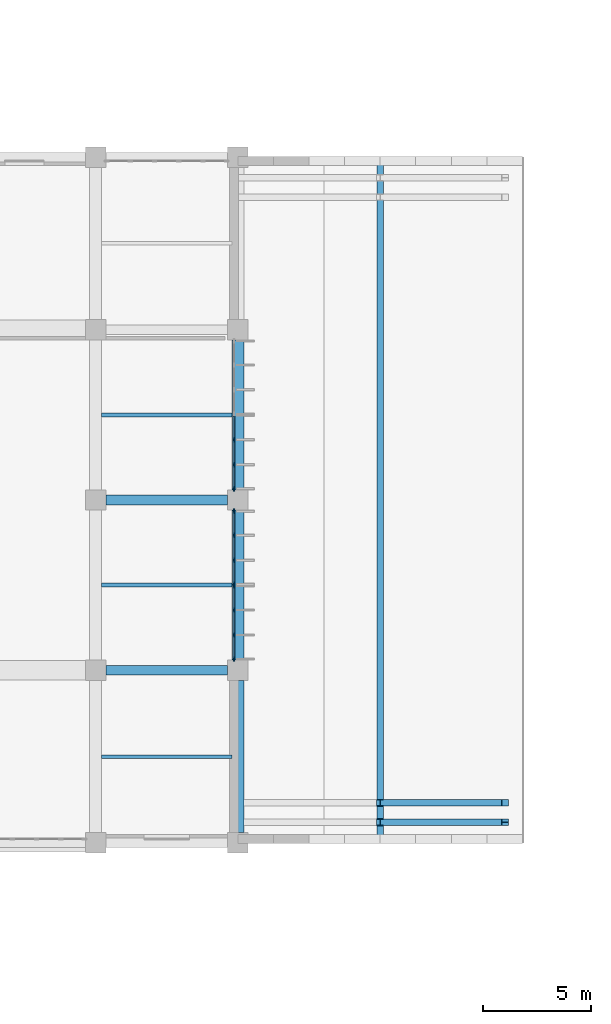
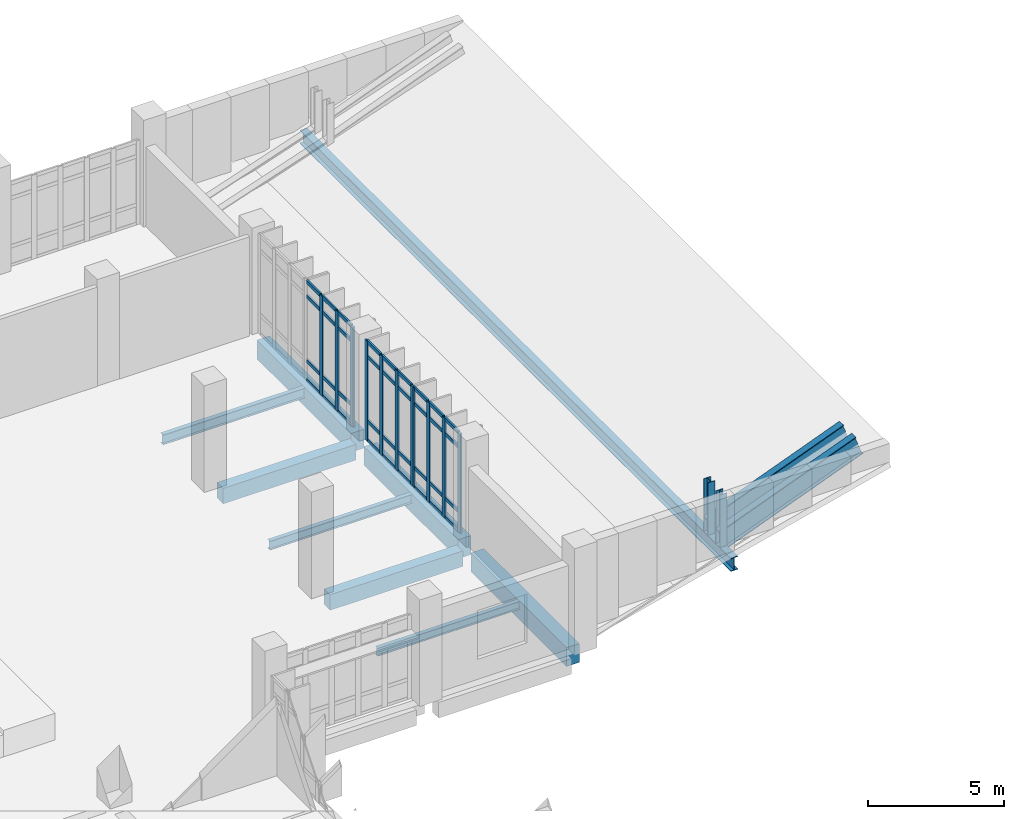
# One storey, part 44 of 90: 51 members, 9 beams, 3 elements without a shape of their own.
"""IFC4 building model written with IfcOpenShell, lengths in metres."""

from ifc_helpers import new_model, si_unit, direction, frame, origin, origin_2d, place, context, subcontext, project, spatial, rectangle, i_section, extrude, material, layer, layer_set, material_profile, profile_set, type_object, element, aggregate, save


model = new_model("IFC4")

# Units and contexts
model_context = context("Model", 3, precision=1e-05, world=origin(), true_north=direction((0.0, 1.0)))
body_context = subcontext(model_context, "Body", "Model", "MODEL_VIEW")
ifc_project = project(units=[si_unit("LENGTHUNIT", "METRE"), si_unit("AREAUNIT", "SQUARE_METRE"), si_unit("VOLUMEUNIT", "CUBIC_METRE"), si_unit("PLANEANGLEUNIT", "RADIAN"), si_unit("MASSUNIT", "GRAM", prefix="KILO")], contexts=[model_context])

# Site, building, storey
site_placement = place(None, origin())
site = spatial("IfcSite", under=ifc_project, at=site_placement, CompositionType="ELEMENT")
building_placement = place(site_placement, origin())
building = spatial("IfcBuilding", under=site, at=building_placement, Name="Kelarvand Opera House", CompositionType="ELEMENT")
storey_placement = place(building_placement, frame((0.0, 0.0, 5.39990234375)))
storey = spatial("IfcBuildingStorey", under=building, at=storey_placement, Name="L01", CompositionType="ELEMENT", Elevation=5.39990234375)

# Curtain wall, members
ifc_material_1 = material(Name="Thermally broken aluminium and low-E glazing", Category="aluminium")
ifc_layer = layer(ifc_material_1, 0.219970703125, Name="Thermally broken aluminium and low-E glazing", Category="aluminium")
ifc_layer_set = layer_set([ifc_layer], Name="Thermally broken aluminium and low-E glazing")
curtain_wall_type = type_object("IfcCurtainWallType", Name="Unitised Low-E Curtain Wall 3461x4500 Mod 1150 CWF-04", PredefinedType="USERDEFINED", material=ifc_layer_set)
curtain_wall_1_placement = place(storey_placement, origin())
curtain_wall_1 = element("IfcCurtainWall", 1, at=curtain_wall_1_placement, inside=storey, type_object=curtain_wall_type, Name="V1 L01 Curtain Wall CWF-04 (9)", ObjectType="UNITISED CURTAIN WALL", PredefinedType="USERDEFINED")
ifc_material_2 = material(Name="Thermally broken anodised aluminium", Category="aluminium")
ifc_material_profile_1 = material_profile(ifc_material_2, rectangle(XDim=0.074951171875, YDim=0.219970703125, at=origin_2d()), Name="ALU MULLION 75x220", Category="aluminium")
ifc_profile_set_1 = profile_set([ifc_material_profile_1], Name="Thermally broken anodised aluminium")
member_type_1 = type_object("IfcMemberType", Name="Curtain Wall Mullion 75x220 Heavy Plaza", PredefinedType="MULLION", material=ifc_profile_set_1)
member_1_placement = place(storey_placement, frame((141.6201171875, 65.294921875, 0.0), z_axis=(0.0, 0.0, 1.0), x_axis=(1.0, 0.0, 0.0)))
member_1 = element("IfcMember", 2, at=member_1_placement, type_object=member_type_1, Name="CWF-04 mullion 2", PredefinedType="MULLION", context=body_context, shape_type="SweptSolid", body=[
    extrude(rectangle(XDim=0.074951171875, YDim=0.219970703125, at=origin_2d()), origin(), (0.0, 0.0, 1.0), 4.5),
])
member_2_placement = place(storey_placement, frame((141.6201171875, 64.139892578125, 0.0), z_axis=(0.0, 0.0, 1.0), x_axis=(1.0, 0.0, 0.0)))
member_2 = element("IfcMember", 3, at=member_2_placement, type_object=member_type_1, Name="CWF-04 mullion 3", PredefinedType="MULLION", context=body_context, shape_type="SweptSolid", body=[
    extrude(rectangle(XDim=0.074951171875, YDim=0.219970703125, at=origin_2d()), origin(), (0.0, 0.0, 1.0), 4.5),
])
member_3_placement = place(storey_placement, frame((141.6201171875, 63.0224609375, 0.0), z_axis=(0.0, 0.0, 1.0), x_axis=(1.0, 0.0, 0.0)))
member_3 = element("IfcMember", 4, at=member_3_placement, type_object=member_type_1, Name="CWF-04 mullion 4", PredefinedType="MULLION", context=body_context, shape_type="SweptSolid", body=[
    extrude(rectangle(XDim=0.074951171875, YDim=0.219970703125, at=origin_2d()), origin(), (0.0, 0.0, 1.0), 4.5),
])

curtain_wall_2_placement = place(storey_placement, origin())
curtain_wall_2 = element("IfcCurtainWall", 5, at=curtain_wall_2_placement, inside=storey, type_object=curtain_wall_type, Name="V1 L01 Curtain Wall CWF-04 (10)", ObjectType="UNITISED CURTAIN WALL", PredefinedType="USERDEFINED")
member_4_placement = place(storey_placement, frame((141.6201171875, 61.9775390625, 0.0), z_axis=(0.0, 0.0, 1.0), x_axis=(1.0, 0.0, 0.0)))
member_4 = element("IfcMember", 6, at=member_4_placement, type_object=member_type_1, Name="CWF-04 mullion 1", PredefinedType="MULLION", context=body_context, shape_type="SweptSolid", body=[
    extrude(rectangle(XDim=0.074951171875, YDim=0.219970703125, at=origin_2d()), origin(), (0.0, 0.0, 1.0), 4.5),
])
member_5_placement = place(storey_placement, frame((141.6201171875, 60.861328125, 0.0), z_axis=(0.0, 0.0, 1.0), x_axis=(1.0, 0.0, 0.0)))
member_5 = element("IfcMember", 7, at=member_5_placement, type_object=member_type_1, Name="CWF-04 mullion 2", PredefinedType="MULLION", context=body_context, shape_type="SweptSolid", body=[
    extrude(rectangle(XDim=0.074951171875, YDim=0.219970703125, at=origin_2d()), origin(), (0.0, 0.0, 1.0), 4.5),
])
member_6_placement = place(storey_placement, frame((141.6201171875, 59.707763671875, 0.0), z_axis=(0.0, 0.0, 1.0), x_axis=(1.0, 0.0, 0.0)))
member_6 = element("IfcMember", 8, at=member_6_placement, type_object=member_type_1, Name="CWF-04 mullion 3", PredefinedType="MULLION", context=body_context, shape_type="SweptSolid", body=[
    extrude(rectangle(XDim=0.074951171875, YDim=0.219970703125, at=origin_2d()), origin(), (0.0, 0.0, 1.0), 4.5),
])
member_7_placement = place(storey_placement, frame((141.6201171875, 58.591552734375, 0.0), z_axis=(0.0, 0.0, 1.0), x_axis=(1.0, 0.0, 0.0)))
member_7 = element("IfcMember", 9, at=member_7_placement, type_object=member_type_1, Name="CWF-04 mullion 4", PredefinedType="MULLION", context=body_context, shape_type="SweptSolid", body=[
    extrude(rectangle(XDim=0.074951171875, YDim=0.219970703125, at=origin_2d()), origin(), (0.0, 0.0, 1.0), 4.5),
])

curtain_wall_3_placement = place(storey_placement, origin())
curtain_wall_3 = element("IfcCurtainWall", 10, at=curtain_wall_3_placement, inside=storey, type_object=curtain_wall_type, Name="V1 L01 Curtain Wall CWF-04 (11)", ObjectType="UNITISED CURTAIN WALL", PredefinedType="USERDEFINED")
member_8_placement = place(storey_placement, frame((141.6201171875, 58.512451171875, 0.0), z_axis=(0.0, 0.0, 1.0), x_axis=(1.0, 0.0, 0.0)))
member_8 = element("IfcMember", 11, at=member_8_placement, type_object=member_type_1, Name="CWF-04 mullion 1", PredefinedType="MULLION", context=body_context, shape_type="SweptSolid", body=[
    extrude(rectangle(XDim=0.074951171875, YDim=0.219970703125, at=origin_2d()), origin(), (0.0, 0.0, 1.0), 4.5),
])
member_9_placement = place(storey_placement, frame((141.6201171875, 57.39501953125, 0.0), z_axis=(0.0, 0.0, 1.0), x_axis=(1.0, 0.0, 0.0)))
member_9 = element("IfcMember", 12, at=member_9_placement, type_object=member_type_1, Name="CWF-04 mullion 2", PredefinedType="MULLION", context=body_context, shape_type="SweptSolid", body=[
    extrude(rectangle(XDim=0.074951171875, YDim=0.219970703125, at=origin_2d()), origin(), (0.0, 0.0, 1.0), 4.5),
])
member_10_placement = place(storey_placement, frame((141.6201171875, 56.239990234375, 0.0), z_axis=(0.0, 0.0, 1.0), x_axis=(1.0, 0.0, 0.0)))
member_10 = element("IfcMember", 13, at=member_10_placement, type_object=member_type_1, Name="CWF-04 mullion 3", PredefinedType="MULLION", context=body_context, shape_type="SweptSolid", body=[
    extrude(rectangle(XDim=0.074951171875, YDim=0.219970703125, at=origin_2d()), origin(), (0.0, 0.0, 1.0), 4.5),
])
member_11_placement = place(storey_placement, frame((141.6201171875, 55.12255859375, 0.0), z_axis=(0.0, 0.0, 1.0), x_axis=(1.0, 0.0, 0.0)))
member_11 = element("IfcMember", 14, at=member_11_placement, type_object=member_type_1, Name="CWF-04 mullion 4", PredefinedType="MULLION", context=body_context, shape_type="SweptSolid", body=[
    extrude(rectangle(XDim=0.074951171875, YDim=0.219970703125, at=origin_2d()), origin(), (0.0, 0.0, 1.0), 4.5),
])

# Member
ifc_material_profile_2 = material_profile(ifc_material_2, rectangle(XDim=0.074951171875, YDim=0.159912109375, at=origin_2d()), Name="ALU TRANSOM 75x160", Category="aluminium")
ifc_profile_set_2 = profile_set([ifc_material_profile_2], Name="Thermally broken anodised aluminium")
member_type_2 = type_object("IfcMemberType", Name="Curtain Wall Transom 75x160 Heavy Plaza", PredefinedType="USERDEFINED", material=ifc_profile_set_2)
member_12_placement = place(storey_placement, frame((141.6201171875, 66.375, 0.03759765625), z_axis=(0.0, -1.0, 0.0), x_axis=(1.0, 0.0, 0.0)))
member_12 = element("IfcMember", 15, at=member_12_placement, type_object=member_type_2, Name="CWF-04 transom 1.1", ObjectType="TRANSOM", PredefinedType="USERDEFINED", context=body_context, shape_type="SweptSolid", body=[
    extrude(rectangle(XDim=0.074951171875, YDim=0.159912109375, at=origin_2d()), origin(), (0.0, 0.0, 1.0), 1.04248046875),
])

member_13_placement = place(storey_placement, frame((141.6201171875, 66.375, 0.900146484375), z_axis=(0.0, -1.0, 0.0), x_axis=(1.0, 0.0, 0.0)))
member_13 = element("IfcMember", 16, at=member_13_placement, type_object=member_type_2, Name="CWF-04 transom 1.2", ObjectType="TRANSOM", PredefinedType="USERDEFINED", context=body_context, shape_type="SweptSolid", body=[
    extrude(rectangle(XDim=0.074951171875, YDim=0.159912109375, at=origin_2d()), origin(), (0.0, 0.0, 1.0), 1.04248046875),
])

member_14_placement = place(storey_placement, frame((141.6201171875, 66.375, 3.800048828125), z_axis=(0.0, -1.0, 0.0), x_axis=(1.0, 0.0, 0.0)))
member_14 = element("IfcMember", 17, at=member_14_placement, type_object=member_type_2, Name="CWF-04 transom 1.3", ObjectType="TRANSOM", PredefinedType="USERDEFINED", context=body_context, shape_type="SweptSolid", body=[
    extrude(rectangle(XDim=0.074951171875, YDim=0.159912109375, at=origin_2d()), origin(), (0.0, 0.0, 1.0), 1.04248046875),
])

member_15_placement = place(storey_placement, frame((141.6201171875, 66.375, 4.462646484375), z_axis=(0.0, -1.0, 0.0), x_axis=(1.0, 0.0, 0.0)))
member_15 = element("IfcMember", 18, at=member_15_placement, type_object=member_type_2, Name="CWF-04 transom 1.4", ObjectType="TRANSOM", PredefinedType="USERDEFINED", context=body_context, shape_type="SweptSolid", body=[
    extrude(rectangle(XDim=0.074951171875, YDim=0.159912109375, at=origin_2d()), origin(), (0.0, 0.0, 1.0), 1.04248046875),
])

member_16_placement = place(storey_placement, frame((141.6201171875, 65.257568359375, 0.03759765625), z_axis=(0.0, -1.0, 0.0), x_axis=(1.0, 0.0, 0.0)))
member_16 = element("IfcMember", 19, at=member_16_placement, type_object=member_type_2, Name="CWF-04 transom 2.1", ObjectType="TRANSOM", PredefinedType="USERDEFINED", context=body_context, shape_type="SweptSolid", body=[
    extrude(rectangle(XDim=0.074951171875, YDim=0.159912109375, at=origin_2d()), origin(), (0.0, 0.0, 1.0), 1.080078125),
])

member_17_placement = place(storey_placement, frame((141.6201171875, 65.257568359375, 0.900146484375), z_axis=(0.0, -1.0, 0.0), x_axis=(1.0, 0.0, 0.0)))
member_17 = element("IfcMember", 20, at=member_17_placement, type_object=member_type_2, Name="CWF-04 transom 2.2", ObjectType="TRANSOM", PredefinedType="USERDEFINED", context=body_context, shape_type="SweptSolid", body=[
    extrude(rectangle(XDim=0.074951171875, YDim=0.159912109375, at=origin_2d()), origin(), (0.0, 0.0, 1.0), 1.080078125),
])

member_18_placement = place(storey_placement, frame((141.6201171875, 65.257568359375, 3.800048828125), z_axis=(0.0, -1.0, 0.0), x_axis=(1.0, 0.0, 0.0)))
member_18 = element("IfcMember", 21, at=member_18_placement, type_object=member_type_2, Name="CWF-04 transom 2.3", ObjectType="TRANSOM", PredefinedType="USERDEFINED", context=body_context, shape_type="SweptSolid", body=[
    extrude(rectangle(XDim=0.074951171875, YDim=0.159912109375, at=origin_2d()), origin(), (0.0, 0.0, 1.0), 1.080078125),
])

member_19_placement = place(storey_placement, frame((141.6201171875, 65.257568359375, 4.462646484375), z_axis=(0.0, -1.0, 0.0), x_axis=(1.0, 0.0, 0.0)))
member_19 = element("IfcMember", 22, at=member_19_placement, type_object=member_type_2, Name="CWF-04 transom 2.4", ObjectType="TRANSOM", PredefinedType="USERDEFINED", context=body_context, shape_type="SweptSolid", body=[
    extrude(rectangle(XDim=0.074951171875, YDim=0.159912109375, at=origin_2d()), origin(), (0.0, 0.0, 1.0), 1.080078125),
])

member_20_placement = place(storey_placement, frame((141.6201171875, 64.1025390625, 0.03759765625), z_axis=(0.0, -1.0, 0.0), x_axis=(1.0, 0.0, 0.0)))
member_20 = element("IfcMember", 23, at=member_20_placement, type_object=member_type_2, Name="CWF-04 transom 3.1", ObjectType="TRANSOM", PredefinedType="USERDEFINED", context=body_context, shape_type="SweptSolid", body=[
    extrude(rectangle(XDim=0.074951171875, YDim=0.159912109375, at=origin_2d()), origin(), (0.0, 0.0, 1.0), 1.04248046875),
])

member_21_placement = place(storey_placement, frame((141.6201171875, 64.1025390625, 0.900146484375), z_axis=(0.0, -1.0, 0.0), x_axis=(1.0, 0.0, 0.0)))
member_21 = element("IfcMember", 24, at=member_21_placement, type_object=member_type_2, Name="CWF-04 transom 3.2", ObjectType="TRANSOM", PredefinedType="USERDEFINED", context=body_context, shape_type="SweptSolid", body=[
    extrude(rectangle(XDim=0.074951171875, YDim=0.159912109375, at=origin_2d()), origin(), (0.0, 0.0, 1.0), 1.04248046875),
])

member_22_placement = place(storey_placement, frame((141.6201171875, 64.1025390625, 3.800048828125), z_axis=(0.0, -1.0, 0.0), x_axis=(1.0, 0.0, 0.0)))
member_22 = element("IfcMember", 25, at=member_22_placement, type_object=member_type_2, Name="CWF-04 transom 3.3", ObjectType="TRANSOM", PredefinedType="USERDEFINED", context=body_context, shape_type="SweptSolid", body=[
    extrude(rectangle(XDim=0.074951171875, YDim=0.159912109375, at=origin_2d()), origin(), (0.0, 0.0, 1.0), 1.04248046875),
])

member_23_placement = place(storey_placement, frame((141.6201171875, 64.1025390625, 4.462646484375), z_axis=(0.0, -1.0, 0.0), x_axis=(1.0, 0.0, 0.0)))
member_23 = element("IfcMember", 26, at=member_23_placement, type_object=member_type_2, Name="CWF-04 transom 3.4", ObjectType="TRANSOM", PredefinedType="USERDEFINED", context=body_context, shape_type="SweptSolid", body=[
    extrude(rectangle(XDim=0.074951171875, YDim=0.159912109375, at=origin_2d()), origin(), (0.0, 0.0, 1.0), 1.04248046875),
])

aggregate(curtain_wall_1, [member_1, member_2, member_3, member_12, member_13, member_14, member_15, member_16, member_17, member_18, member_19, member_20, member_21, member_22, member_23])

member_24_placement = place(storey_placement, frame((141.6201171875, 61.93994140625, 0.03759765625), z_axis=(0.0, -1.0, 0.0), x_axis=(1.0, 0.0, 0.0)))
member_24 = element("IfcMember", 27, at=member_24_placement, type_object=member_type_2, Name="CWF-04 transom 1.1", ObjectType="TRANSOM", PredefinedType="USERDEFINED", context=body_context, shape_type="SweptSolid", body=[
    extrude(rectangle(XDim=0.074951171875, YDim=0.159912109375, at=origin_2d()), origin(), (0.0, 0.0, 1.0), 1.041015625),
])

member_25_placement = place(storey_placement, frame((141.6201171875, 61.93994140625, 0.900146484375), z_axis=(0.0, -1.0, 0.0), x_axis=(1.0, 0.0, 0.0)))
member_25 = element("IfcMember", 28, at=member_25_placement, type_object=member_type_2, Name="CWF-04 transom 1.2", ObjectType="TRANSOM", PredefinedType="USERDEFINED", context=body_context, shape_type="SweptSolid", body=[
    extrude(rectangle(XDim=0.074951171875, YDim=0.159912109375, at=origin_2d()), origin(), (0.0, 0.0, 1.0), 1.041015625),
])

member_26_placement = place(storey_placement, frame((141.6201171875, 61.93994140625, 3.800048828125), z_axis=(0.0, -1.0, 0.0), x_axis=(1.0, 0.0, 0.0)))
member_26 = element("IfcMember", 29, at=member_26_placement, type_object=member_type_2, Name="CWF-04 transom 1.3", ObjectType="TRANSOM", PredefinedType="USERDEFINED", context=body_context, shape_type="SweptSolid", body=[
    extrude(rectangle(XDim=0.074951171875, YDim=0.159912109375, at=origin_2d()), origin(), (0.0, 0.0, 1.0), 1.041015625),
])

member_27_placement = place(storey_placement, frame((141.6201171875, 61.93994140625, 4.462646484375), z_axis=(0.0, -1.0, 0.0), x_axis=(1.0, 0.0, 0.0)))
member_27 = element("IfcMember", 30, at=member_27_placement, type_object=member_type_2, Name="CWF-04 transom 1.4", ObjectType="TRANSOM", PredefinedType="USERDEFINED", context=body_context, shape_type="SweptSolid", body=[
    extrude(rectangle(XDim=0.074951171875, YDim=0.159912109375, at=origin_2d()), origin(), (0.0, 0.0, 1.0), 1.041015625),
])

member_28_placement = place(storey_placement, frame((141.6201171875, 60.82373046875, 0.03759765625), z_axis=(0.0, -1.0, 0.0), x_axis=(1.0, 0.0, 0.0)))
member_28 = element("IfcMember", 31, at=member_28_placement, type_object=member_type_2, Name="CWF-04 transom 2.1", ObjectType="TRANSOM", PredefinedType="USERDEFINED", context=body_context, shape_type="SweptSolid", body=[
    extrude(rectangle(XDim=0.074951171875, YDim=0.159912109375, at=origin_2d()), origin(), (0.0, 0.0, 1.0), 1.07861328125),
])

member_29_placement = place(storey_placement, frame((141.6201171875, 60.82373046875, 0.900146484375), z_axis=(0.0, -1.0, 0.0), x_axis=(1.0, 0.0, 0.0)))
member_29 = element("IfcMember", 32, at=member_29_placement, type_object=member_type_2, Name="CWF-04 transom 2.2", ObjectType="TRANSOM", PredefinedType="USERDEFINED", context=body_context, shape_type="SweptSolid", body=[
    extrude(rectangle(XDim=0.074951171875, YDim=0.159912109375, at=origin_2d()), origin(), (0.0, 0.0, 1.0), 1.07861328125),
])

member_30_placement = place(storey_placement, frame((141.6201171875, 60.82373046875, 3.800048828125), z_axis=(0.0, -1.0, 0.0), x_axis=(1.0, 0.0, 0.0)))
member_30 = element("IfcMember", 33, at=member_30_placement, type_object=member_type_2, Name="CWF-04 transom 2.3", ObjectType="TRANSOM", PredefinedType="USERDEFINED", context=body_context, shape_type="SweptSolid", body=[
    extrude(rectangle(XDim=0.074951171875, YDim=0.159912109375, at=origin_2d()), origin(), (0.0, 0.0, 1.0), 1.07861328125),
])

member_31_placement = place(storey_placement, frame((141.6201171875, 60.82373046875, 4.462646484375), z_axis=(0.0, -1.0, 0.0), x_axis=(1.0, 0.0, 0.0)))
member_31 = element("IfcMember", 34, at=member_31_placement, type_object=member_type_2, Name="CWF-04 transom 2.4", ObjectType="TRANSOM", PredefinedType="USERDEFINED", context=body_context, shape_type="SweptSolid", body=[
    extrude(rectangle(XDim=0.074951171875, YDim=0.159912109375, at=origin_2d()), origin(), (0.0, 0.0, 1.0), 1.07861328125),
])

member_32_placement = place(storey_placement, frame((141.6201171875, 59.670166015625, 0.03759765625), z_axis=(0.0, -1.0, 0.0), x_axis=(1.0, 0.0, 0.0)))
member_32 = element("IfcMember", 35, at=member_32_placement, type_object=member_type_2, Name="CWF-04 transom 3.1", ObjectType="TRANSOM", PredefinedType="USERDEFINED", context=body_context, shape_type="SweptSolid", body=[
    extrude(rectangle(XDim=0.074951171875, YDim=0.159912109375, at=origin_2d()), origin(), (0.0, 0.0, 1.0), 1.041259765625),
])

member_33_placement = place(storey_placement, frame((141.6201171875, 59.670166015625, 0.900146484375), z_axis=(0.0, -1.0, 0.0), x_axis=(1.0, 0.0, 0.0)))
member_33 = element("IfcMember", 36, at=member_33_placement, type_object=member_type_2, Name="CWF-04 transom 3.2", ObjectType="TRANSOM", PredefinedType="USERDEFINED", context=body_context, shape_type="SweptSolid", body=[
    extrude(rectangle(XDim=0.074951171875, YDim=0.159912109375, at=origin_2d()), origin(), (0.0, 0.0, 1.0), 1.041259765625),
])

member_34_placement = place(storey_placement, frame((141.6201171875, 59.670166015625, 3.800048828125), z_axis=(0.0, -1.0, 0.0), x_axis=(1.0, 0.0, 0.0)))
member_34 = element("IfcMember", 37, at=member_34_placement, type_object=member_type_2, Name="CWF-04 transom 3.3", ObjectType="TRANSOM", PredefinedType="USERDEFINED", context=body_context, shape_type="SweptSolid", body=[
    extrude(rectangle(XDim=0.074951171875, YDim=0.159912109375, at=origin_2d()), origin(), (0.0, 0.0, 1.0), 1.041259765625),
])

member_35_placement = place(storey_placement, frame((141.6201171875, 59.670166015625, 4.462646484375), z_axis=(0.0, -1.0, 0.0), x_axis=(1.0, 0.0, 0.0)))
member_35 = element("IfcMember", 38, at=member_35_placement, type_object=member_type_2, Name="CWF-04 transom 3.4", ObjectType="TRANSOM", PredefinedType="USERDEFINED", context=body_context, shape_type="SweptSolid", body=[
    extrude(rectangle(XDim=0.074951171875, YDim=0.159912109375, at=origin_2d()), origin(), (0.0, 0.0, 1.0), 1.041259765625),
])

aggregate(curtain_wall_2, [member_4, member_5, member_6, member_7, member_24, member_25, member_26, member_27, member_28, member_29, member_30, member_31, member_32, member_33, member_34, member_35])

member_36_placement = place(storey_placement, frame((141.6201171875, 58.47509765625, 0.03759765625), z_axis=(0.0, -1.0, 0.0), x_axis=(1.0, 0.0, 0.0)))
member_36 = element("IfcMember", 39, at=member_36_placement, type_object=member_type_2, Name="CWF-04 transom 1.1", ObjectType="TRANSOM", PredefinedType="USERDEFINED", context=body_context, shape_type="SweptSolid", body=[
    extrude(rectangle(XDim=0.074951171875, YDim=0.159912109375, at=origin_2d()), origin(), (0.0, 0.0, 1.0), 1.04248046875),
])

member_37_placement = place(storey_placement, frame((141.6201171875, 58.47509765625, 0.900146484375), z_axis=(0.0, -1.0, 0.0), x_axis=(1.0, 0.0, 0.0)))
member_37 = element("IfcMember", 40, at=member_37_placement, type_object=member_type_2, Name="CWF-04 transom 1.2", ObjectType="TRANSOM", PredefinedType="USERDEFINED", context=body_context, shape_type="SweptSolid", body=[
    extrude(rectangle(XDim=0.074951171875, YDim=0.159912109375, at=origin_2d()), origin(), (0.0, 0.0, 1.0), 1.04248046875),
])

member_38_placement = place(storey_placement, frame((141.6201171875, 58.47509765625, 3.800048828125), z_axis=(0.0, -1.0, 0.0), x_axis=(1.0, 0.0, 0.0)))
member_38 = element("IfcMember", 41, at=member_38_placement, type_object=member_type_2, Name="CWF-04 transom 1.3", ObjectType="TRANSOM", PredefinedType="USERDEFINED", context=body_context, shape_type="SweptSolid", body=[
    extrude(rectangle(XDim=0.074951171875, YDim=0.159912109375, at=origin_2d()), origin(), (0.0, 0.0, 1.0), 1.04248046875),
])

member_39_placement = place(storey_placement, frame((141.6201171875, 58.47509765625, 4.462646484375), z_axis=(0.0, -1.0, 0.0), x_axis=(1.0, 0.0, 0.0)))
member_39 = element("IfcMember", 42, at=member_39_placement, type_object=member_type_2, Name="CWF-04 transom 1.4", ObjectType="TRANSOM", PredefinedType="USERDEFINED", context=body_context, shape_type="SweptSolid", body=[
    extrude(rectangle(XDim=0.074951171875, YDim=0.159912109375, at=origin_2d()), origin(), (0.0, 0.0, 1.0), 1.04248046875),
])

member_40_placement = place(storey_placement, frame((141.6201171875, 57.357421875, 0.03759765625), z_axis=(0.0, -1.0, 0.0), x_axis=(1.0, 0.0, 0.0)))
member_40 = element("IfcMember", 43, at=member_40_placement, type_object=member_type_2, Name="CWF-04 transom 2.1", ObjectType="TRANSOM", PredefinedType="USERDEFINED", context=body_context, shape_type="SweptSolid", body=[
    extrude(rectangle(XDim=0.074951171875, YDim=0.159912109375, at=origin_2d()), origin(), (0.0, 0.0, 1.0), 1.079833984375),
])

member_41_placement = place(storey_placement, frame((141.6201171875, 57.357421875, 0.900146484375), z_axis=(0.0, -1.0, 0.0), x_axis=(1.0, 0.0, 0.0)))
member_41 = element("IfcMember", 44, at=member_41_placement, type_object=member_type_2, Name="CWF-04 transom 2.2", ObjectType="TRANSOM", PredefinedType="USERDEFINED", context=body_context, shape_type="SweptSolid", body=[
    extrude(rectangle(XDim=0.074951171875, YDim=0.159912109375, at=origin_2d()), origin(), (0.0, 0.0, 1.0), 1.079833984375),
])

member_42_placement = place(storey_placement, frame((141.6201171875, 57.357421875, 3.800048828125), z_axis=(0.0, -1.0, 0.0), x_axis=(1.0, 0.0, 0.0)))
member_42 = element("IfcMember", 45, at=member_42_placement, type_object=member_type_2, Name="CWF-04 transom 2.3", ObjectType="TRANSOM", PredefinedType="USERDEFINED", context=body_context, shape_type="SweptSolid", body=[
    extrude(rectangle(XDim=0.074951171875, YDim=0.159912109375, at=origin_2d()), origin(), (0.0, 0.0, 1.0), 1.079833984375),
])

member_43_placement = place(storey_placement, frame((141.6201171875, 57.357421875, 4.462646484375), z_axis=(0.0, -1.0, 0.0), x_axis=(1.0, 0.0, 0.0)))
member_43 = element("IfcMember", 46, at=member_43_placement, type_object=member_type_2, Name="CWF-04 transom 2.4", ObjectType="TRANSOM", PredefinedType="USERDEFINED", context=body_context, shape_type="SweptSolid", body=[
    extrude(rectangle(XDim=0.074951171875, YDim=0.159912109375, at=origin_2d()), origin(), (0.0, 0.0, 1.0), 1.079833984375),
])

member_44_placement = place(storey_placement, frame((141.6201171875, 56.202392578125, 0.03759765625), z_axis=(0.0, -1.0, 0.0), x_axis=(1.0, 0.0, 0.0)))
member_44 = element("IfcMember", 47, at=member_44_placement, type_object=member_type_2, Name="CWF-04 transom 3.1", ObjectType="TRANSOM", PredefinedType="USERDEFINED", context=body_context, shape_type="SweptSolid", body=[
    extrude(rectangle(XDim=0.074951171875, YDim=0.159912109375, at=origin_2d()), origin(), (0.0, 0.0, 1.0), 1.04248046875),
])

member_45_placement = place(storey_placement, frame((141.6201171875, 56.202392578125, 0.900146484375), z_axis=(0.0, -1.0, 0.0), x_axis=(1.0, 0.0, 0.0)))
member_45 = element("IfcMember", 48, at=member_45_placement, type_object=member_type_2, Name="CWF-04 transom 3.2", ObjectType="TRANSOM", PredefinedType="USERDEFINED", context=body_context, shape_type="SweptSolid", body=[
    extrude(rectangle(XDim=0.074951171875, YDim=0.159912109375, at=origin_2d()), origin(), (0.0, 0.0, 1.0), 1.04248046875),
])

member_46_placement = place(storey_placement, frame((141.6201171875, 56.202392578125, 3.800048828125), z_axis=(0.0, -1.0, 0.0), x_axis=(1.0, 0.0, 0.0)))
member_46 = element("IfcMember", 49, at=member_46_placement, type_object=member_type_2, Name="CWF-04 transom 3.3", ObjectType="TRANSOM", PredefinedType="USERDEFINED", context=body_context, shape_type="SweptSolid", body=[
    extrude(rectangle(XDim=0.074951171875, YDim=0.159912109375, at=origin_2d()), origin(), (0.0, 0.0, 1.0), 1.04248046875),
])

member_47_placement = place(storey_placement, frame((141.6201171875, 56.202392578125, 4.462646484375), z_axis=(0.0, -1.0, 0.0), x_axis=(1.0, 0.0, 0.0)))
member_47 = element("IfcMember", 50, at=member_47_placement, type_object=member_type_2, Name="CWF-04 transom 3.4", ObjectType="TRANSOM", PredefinedType="USERDEFINED", context=body_context, shape_type="SweptSolid", body=[
    extrude(rectangle(XDim=0.074951171875, YDim=0.159912109375, at=origin_2d()), origin(), (0.0, 0.0, 1.0), 1.04248046875),
])

aggregate(curtain_wall_3, [member_8, member_9, member_10, member_11, member_36, member_37, member_38, member_39, member_40, member_41, member_42, member_43, member_44, member_45, member_46, member_47])

# Beams
ifc_material_3 = material(Name="Steel S355", Category="steel")
ifc_material_profile_3 = material_profile(ifc_material_3, i_section(OverallWidth=0.300048828125, OverallDepth=0.60009765625, WebThickness=0.015380859375, FlangeThickness=0.030029296875, at=origin_2d()), Name="HEB 600", Category="steel")
ifc_profile_set_3 = profile_set([ifc_material_profile_3], Name="Steel S355")
beam_type_1 = type_object("IfcBeamType", Name="Structural Beam HEB 600 BM-HEB600", PredefinedType="BEAM", material=ifc_profile_set_3)
beam_1_placement = place(storey_placement, frame((148.39990234375, 46.60009765625, 1.360107421875), z_axis=(0.0, 1.0, 0.0), x_axis=(-1.0, 0.0, 0.0)))
element("IfcBeam", 51, at=beam_1_placement, inside=storey, type_object=beam_type_1, Name="Cantilever Raked Soffit Girder X=148.4", PredefinedType="BEAM", context=body_context, shape_type="SweptSolid", body=[
    extrude(i_section(OverallWidth=0.300048828125, OverallDepth=0.60009765625, WebThickness=0.015380859375, FlangeThickness=0.030029296875, at=origin_2d()), origin(), (0.0, 0.0, 1.0), 31.7998046875),
])
ifc_material_4 = material(Name="Concrete C40/50", Category="concrete")
ifc_material_profile_4 = material_profile(ifc_material_4, rectangle(XDim=0.449951171875, YDim=0.699951171875, at=origin_2d()), Name="RC 450x700", Category="concrete")
ifc_profile_set_4 = profile_set([ifc_material_profile_4], Name="Concrete C40/50")
beam_type_2 = type_object("IfcBeamType", Name="Structural Beam RC 450x700 BM-RC450x700", PredefinedType="BEAM", material=ifc_profile_set_4)
for number, where, z_axis, x_axis, name in (
    (52, (135.675048828125, 54.60009765625, -0.64990234375), (1.0, 0.0, 0.0), (0.0, 1.0, 0.0), "V1 L01 Beam BM-RC450x700"),
    (53, (135.675048828125, 62.5, -0.64990234375), (1.0, 0.0, 0.0), (0.0, 1.0, 0.0), "V1 L01 Beam BM-RC450x700"),
):
    element("IfcBeam", number, at=place(storey_placement, frame(where, z_axis=z_axis, x_axis=x_axis)), inside=storey, type_object=beam_type_2, Name=name, PredefinedType="BEAM", context=body_context, shape_type="SweptSolid", body=[
        extrude(rectangle(XDim=0.449951171875, YDim=0.699951171875, at=origin_2d()), origin(), (0.0, 0.0, 1.0), 5.64990234375),
    ])
ifc_material_profile_5 = material_profile(ifc_material_4, rectangle(XDim=0.550048828125, YDim=0.85009765625, at=origin_2d()), Name="RC 550x850", Category="concrete")
ifc_profile_set_5 = profile_set([ifc_material_profile_5], Name="Concrete C40/50")
beam_type_3 = type_object("IfcBeamType", Name="Structural Beam RC 550x850 BM-RC550x850", PredefinedType="BEAM", material=ifc_profile_set_5)
beam_2_placement = place(storey_placement, frame((141.800048828125, 47.074951171875, -0.724853515625), z_axis=(0.0, 1.0, 0.0), x_axis=(-1.0, 0.0, 0.0)))
element("IfcBeam", 54, at=beam_2_placement, inside=storey, type_object=beam_type_3, Name="V1 L01 Beam BM-RC550x850", PredefinedType="BEAM", context=body_context, shape_type="SweptSolid", body=[
    extrude(rectangle(XDim=0.550048828125, YDim=0.85009765625, at=origin_2d()), origin(), (0.0, 0.0, 1.0), 7.050048828125),
])
for number, where, z_axis, x_axis, name in (
    (55, (141.800048828125, 55.074951171875, -0.724853515625), (0.0, 1.0, 0.0), (-1.0, 0.0, 0.0), "V1 L01 Beam BM-RC550x850"),
    (56, (141.800048828125, 62.97509765625, -0.724853515625), (0.0, 1.0, 0.0), (-1.0, 0.0, 0.0), "V1 L01 Beam BM-RC550x850"),
):
    element("IfcBeam", number, at=place(storey_placement, frame(where, z_axis=z_axis, x_axis=x_axis)), inside=storey, type_object=beam_type_3, Name=name, PredefinedType="BEAM", context=body_context, shape_type="SweptSolid", body=[
        extrude(rectangle(XDim=0.550048828125, YDim=0.85009765625, at=origin_2d()), origin(), (0.0, 0.0, 1.0), 6.949951171875),
    ])

# Members
ifc_material_profile_6 = material_profile(ifc_material_3, i_section(OverallWidth=0.300048828125, OverallDepth=0.89990234375, WebThickness=0.0185546875, FlangeThickness=0.034912109375, at=origin_2d()), Name="HEB 900", Category="steel")
ifc_profile_set_6 = profile_set([ifc_material_profile_6], Name="Steel S355")
member_type_3 = type_object("IfcMemberType", Name="Structural Chord HEB 900 CH-HEB900", PredefinedType="CHORD", material=ifc_profile_set_6)
for number, where, z_axis, x_axis, name in (
    (57, (148.39990234375, 47.550048828125, 1.940185546875), (0.932848827197, 0.0, 0.360268046872), (0.0, 1.0, 0.0), "Cantilever Raked Underside Chord CT1.2"),
    (58, (148.39990234375, 48.449951171875, 1.940185546875), (0.932848827197, 0.0, 0.360268046872), (0.0, 1.0, 0.0), "Cantilever Raked Underside Chord CT2.2"),
):
    element("IfcMember", number, at=place(storey_placement, frame(where, z_axis=z_axis, x_axis=x_axis)), inside=storey, type_object=member_type_3, Name=name, PredefinedType="CHORD", context=body_context, shape_type="SweptSolid", body=[
        extrude(i_section(OverallWidth=0.300048828125, OverallDepth=0.89990234375, WebThickness=0.0185546875, FlangeThickness=0.034912109375, at=origin_2d()), origin(), (0.0, 0.0, 1.0), 6.217529296875),
    ])

# Beams
ifc_material_profile_7 = material_profile(ifc_material_3, i_section(OverallWidth=0.169921875, OverallDepth=0.360107421875, WebThickness=0.008056640625, FlangeThickness=0.0126953125, at=origin_2d()), Name="IPE 360", Category="steel")
ifc_profile_set_7 = profile_set([ifc_material_profile_7], Name="Steel S355")
beam_type_4 = type_object("IfcBeamType", Name="Structural Joist IPE 360 JS-IPE360", PredefinedType="JOIST", material=ifc_profile_set_7)
beam_3_placement = place(storey_placement, frame((135.47509765625, 50.60009765625, -0.47998046875), z_axis=(1.0, 0.0, 0.0), x_axis=(0.0, 1.0, 0.0)))
element("IfcBeam", 59, at=beam_3_placement, inside=storey, type_object=beam_type_4, Name="V1 L01 Beam JS-IPE360", PredefinedType="JOIST", context=body_context, shape_type="SweptSolid", body=[
    extrude(i_section(OverallWidth=0.169921875, OverallDepth=0.360107421875, WebThickness=0.008056640625, FlangeThickness=0.0126953125, at=origin_2d()), origin(), (0.0, 0.0, 1.0), 6.0498046875),
])
ifc_material_profile_8 = material_profile(ifc_material_3, i_section(OverallWidth=0.179931640625, OverallDepth=0.39990234375, WebThickness=0.008544921875, FlangeThickness=0.013427734375, at=origin_2d()), Name="IPE 400", Category="steel")
ifc_profile_set_8 = profile_set([ifc_material_profile_8], Name="Steel S355")
beam_type_5 = type_object("IfcBeamType", Name="Structural Joist IPE 400 JS-IPE400", PredefinedType="JOIST", material=ifc_profile_set_8)
beam_4_placement = place(storey_placement, frame((135.47509765625, 58.550048828125, -0.5), z_axis=(1.0, 0.0, 0.0), x_axis=(0.0, 1.0, 0.0)))
element("IfcBeam", 60, at=beam_4_placement, inside=storey, type_object=beam_type_5, Name="V1 L01 Beam JS-IPE400", PredefinedType="JOIST", context=body_context, shape_type="SweptSolid", body=[
    extrude(i_section(OverallWidth=0.179931640625, OverallDepth=0.39990234375, WebThickness=0.008544921875, FlangeThickness=0.013427734375, at=origin_2d()), origin(), (0.0, 0.0, 1.0), 6.0498046875),
])
ifc_material_profile_9 = material_profile(ifc_material_3, i_section(OverallWidth=0.18994140625, OverallDepth=0.449951171875, WebThickness=0.009521484375, FlangeThickness=0.0146484375, at=origin_2d()), Name="IPE 450", Category="steel")
ifc_profile_set_9 = profile_set([ifc_material_profile_9], Name="Steel S355")
beam_type_6 = type_object("IfcBeamType", Name="Structural Joist IPE 450 JS-IPE450", PredefinedType="JOIST", material=ifc_profile_set_9)
beam_5_placement = place(storey_placement, frame((135.47509765625, 66.449951171875, -0.52490234375), z_axis=(1.0, 0.0, 0.0), x_axis=(0.0, 1.0, 0.0)))
element("IfcBeam", 61, at=beam_5_placement, inside=storey, type_object=beam_type_6, Name="V1 L01 Beam JS-IPE450", PredefinedType="JOIST", context=body_context, shape_type="SweptSolid", body=[
    extrude(i_section(OverallWidth=0.18994140625, OverallDepth=0.449951171875, WebThickness=0.009521484375, FlangeThickness=0.0146484375, at=origin_2d()), origin(), (0.0, 0.0, 1.0), 6.0498046875),
])

# Members
ifc_material_profile_10 = material_profile(ifc_material_3, i_section(OverallWidth=0.300048828125, OverallDepth=0.320068359375, WebThickness=0.011474609375, FlangeThickness=0.0205078125, at=origin_2d()), Name="HEB 320", Category="steel")
ifc_profile_set_10 = profile_set([ifc_material_profile_10], Name="Steel S355")
member_type_4 = type_object("IfcMemberType", Name="Structural Post HEB 320 PS-HEB320", PredefinedType="POST", material=ifc_profile_set_10)
for number, where, z_axis, x_axis, name in (
    (62, (148.39990234375, 47.550048828125, 1.66015625), (0.0, 0.0, 1.0), (1.0, 0.0, 0.0), "Cantilever Raked Underside Hanger Post CT1"),
    (63, (148.39990234375, 48.449951171875, 1.66015625), (0.0, 0.0, 1.0), (1.0, 0.0, 0.0), "Cantilever Raked Underside Hanger Post CT2"),
):
    element("IfcMember", number, at=place(storey_placement, frame(where, z_axis=z_axis, x_axis=x_axis)), inside=storey, type_object=member_type_4, Name=name, PredefinedType="POST", context=body_context, shape_type="SweptSolid", body=[
        extrude(i_section(OverallWidth=0.300048828125, OverallDepth=0.320068359375, WebThickness=0.011474609375, FlangeThickness=0.0205078125, at=origin_2d()), origin(), (0.0, 0.0, 1.0), 2.369873046875),
    ])

save(model, "model.ifc")
